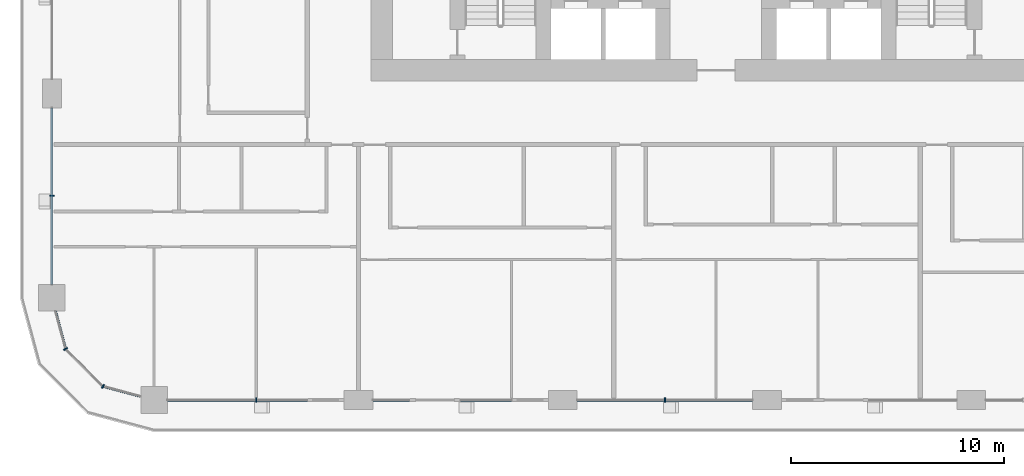
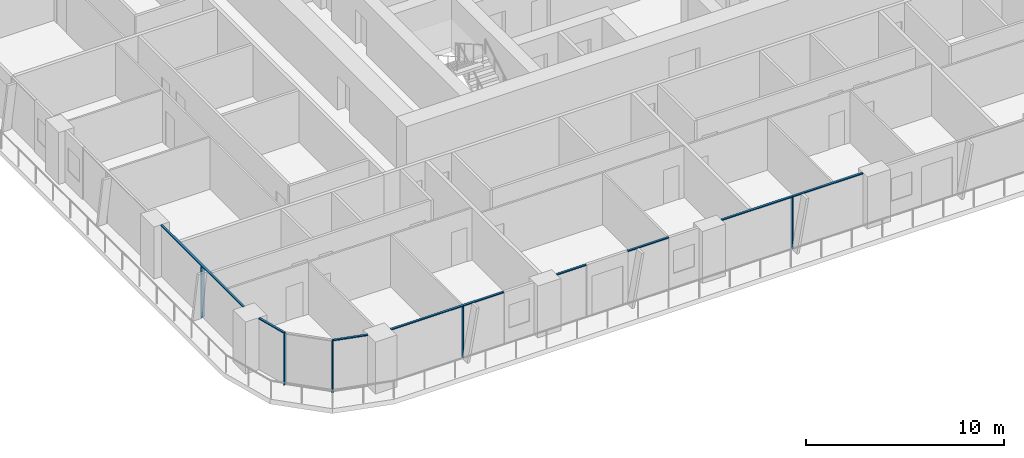
# One storey, part 2 of 21: 12 members, 5 elements without a shape of their own.
"""IFC4 building model written with IfcOpenShell, lengths in metres."""

from ifc_helpers import new_model, si_unit, direction, frame, origin, origin_2d, place, context, subcontext, project, spatial, rectangle, extrude, material, layer, layer_set, material_profile, profile_set, type_object, element, aggregate, save


model = new_model("IFC4")

# Units and contexts
model_context = context("Model", 3, precision=1e-05, world=origin(), true_north=direction((0.0, 1.0)))
body_context = subcontext(model_context, "Body", "Model", "MODEL_VIEW")
ifc_project = project(units=[si_unit("LENGTHUNIT", "METRE"), si_unit("AREAUNIT", "SQUARE_METRE"), si_unit("VOLUMEUNIT", "CUBIC_METRE"), si_unit("PLANEANGLEUNIT", "RADIAN"), si_unit("MASSUNIT", "GRAM", prefix="KILO")], contexts=[model_context])

# Site, building, storey
site_placement = place(None, origin())
site = spatial("IfcSite", under=ifc_project, at=site_placement, CompositionType="ELEMENT")
building_placement = place(site_placement, origin())
building = spatial("IfcBuilding", under=site, at=building_placement, Name="Madar Terraces", CompositionType="ELEMENT")
storey_placement = place(building_placement, frame((0.0, 0.0, 32.89990234375)))
storey = spatial("IfcBuildingStorey", under=building, at=storey_placement, Name="L07", CompositionType="ELEMENT", Elevation=32.89990234375)

# Curtain wall, member
ifc_material_1 = material(Name="Glass, ceramic frit dark grey, with black aluminium frame", Category="aluminium")
ifc_layer = layer(ifc_material_1, 0.199951171875)
ifc_layer_set = layer_set([ifc_layer], Name="Facade curtain wall, fritted glass")
curtain_wall_type = type_object("IfcCurtainWallType", Name="Facade curtain wall, fritted glass", PredefinedType="NOTDEFINED", material=ifc_layer_set)
curtain_wall_1_placement = place(storey_placement, origin())
curtain_wall_1 = element("IfcCurtainWall", 1, at=curtain_wall_1_placement, inside=storey, type_object=curtain_wall_type, Name="Outer skin curtain wall south bay 1", PredefinedType="NOTDEFINED")
ifc_material_2 = material(Name="Aluminium, black anodised", Category="aluminium")
ifc_material_profile_1 = material_profile(ifc_material_2, rectangle(XDim=0.199951171875, YDim=0.06005859375, at=origin_2d()), Name="Facade mullion 60x200")
ifc_profile_set_1 = profile_set([ifc_material_profile_1], Name="Aluminium, black anodised")
member_type_1 = type_object("IfcMemberType", Name="Facade mullion 60x200", PredefinedType="MULLION", material=ifc_profile_set_1)
member_1_placement = place(storey_placement, frame((9.60009765625, 0.0, 0.0), z_axis=(0.0, 0.0, 1.0), x_axis=(0.0, 1.0, 0.0)))
member_1 = element("IfcMember", 2, at=member_1_placement, type_object=member_type_1, Name="Mullion 1", PredefinedType="MULLION", context=body_context, shape_type="SweptSolid", body=[
    extrude(rectangle(XDim=0.199951171875, YDim=0.06005859375, at=origin_2d()), origin(), (0.0, 0.0, 1.0), 3.14013671875),
])

curtain_wall_2_placement = place(storey_placement, origin())
curtain_wall_2 = element("IfcCurtainWall", 3, at=curtain_wall_2_placement, inside=storey, type_object=curtain_wall_type, Name="Outer skin curtain wall south bay 3", PredefinedType="NOTDEFINED")
member_2_placement = place(storey_placement, frame((28.800048828125, 0.0, 0.0), z_axis=(0.0, 0.0, 1.0), x_axis=(0.0, 1.0, 0.0)))
member_2 = element("IfcMember", 4, at=member_2_placement, type_object=member_type_1, Name="Mullion 1", PredefinedType="MULLION", context=body_context, shape_type="SweptSolid", body=[
    extrude(rectangle(XDim=0.199951171875, YDim=0.06005859375, at=origin_2d()), origin(), (0.0, 0.0, 1.0), 3.14013671875),
])

curtain_wall_3_placement = place(storey_placement, origin())
curtain_wall_3 = element("IfcCurtainWall", 5, at=curtain_wall_3_placement, inside=storey, type_object=curtain_wall_type, Name="Outer skin curtain wall west bay 4", PredefinedType="NOTDEFINED")
member_3_placement = place(storey_placement, frame((0.0, 9.60009765625, 0.0), z_axis=(0.0, 0.0, 1.0), x_axis=(1.0, 0.0, 0.0)))
member_3 = element("IfcMember", 6, at=member_3_placement, type_object=member_type_1, Name="Mullion 1", PredefinedType="MULLION", context=body_context, shape_type="SweptSolid", body=[
    extrude(rectangle(XDim=0.199951171875, YDim=0.06005859375, at=origin_2d()), origin(), (0.0, 0.0, 1.0), 3.14013671875),
])

# Curtain wall, members
curtain_wall_4_placement = place(storey_placement, origin())
curtain_wall_4 = element("IfcCurtainWall", 7, at=curtain_wall_4_placement, inside=storey, type_object=curtain_wall_type, Name="Outer skin curtain wall south-west corner", PredefinedType="NOTDEFINED")
member_4_placement = place(storey_placement, frame((0.64306640625, 2.39990234375, 0.0), z_axis=(0.0, 0.0, 1.0), x_axis=(0.866025409797, 0.499999989586, 0.0)))
member_4 = element("IfcMember", 8, at=member_4_placement, type_object=member_type_1, Name="Mullion 1", PredefinedType="MULLION", context=body_context, shape_type="SweptSolid", body=[
    extrude(rectangle(XDim=0.199951171875, YDim=0.06005859375, at=origin_2d()), origin(), (0.0, 0.0, 1.0), 3.14013671875),
])
member_5_placement = place(storey_placement, frame((2.39990234375, 0.64306640625, 0.0), z_axis=(0.0, 0.0, 1.0), x_axis=(0.499999989586, 0.866025409797, 0.0)))
member_5 = element("IfcMember", 9, at=member_5_placement, type_object=member_type_1, Name="Mullion 2", PredefinedType="MULLION", context=body_context, shape_type="SweptSolid", body=[
    extrude(rectangle(XDim=0.199951171875, YDim=0.06005859375, at=origin_2d()), origin(), (0.0, 0.0, 1.0), 3.14013671875),
])

# Member
ifc_material_3 = material(Name="Aluminium, black anodised", Category="aluminium")
ifc_material_profile_2 = material_profile(ifc_material_3, rectangle(XDim=0.1201171875, YDim=0.06005859375, at=origin_2d()), Name="Facade transom 60x120")
ifc_profile_set_2 = profile_set([ifc_material_profile_2], Name="Aluminium, black anodised")
member_type_2 = type_object("IfcMemberType", Name="Facade transom 60x120", PredefinedType="USERDEFINED", material=ifc_profile_set_2)
member_6_placement = place(storey_placement, frame((5.425048828125, 0.0, 3.170166015625), z_axis=(1.0, 0.0, 0.0), x_axis=(0.0, 1.0, 0.0)))
member_6 = element("IfcMember", 10, at=member_6_placement, type_object=member_type_2, Name="Transom 1", ObjectType="TRANSOM", PredefinedType="USERDEFINED", context=body_context, shape_type="SweptSolid", body=[
    extrude(rectangle(XDim=0.1201171875, YDim=0.06005859375, at=origin_2d()), origin(), (0.0, 0.0, 1.0), 6.574951171875),
])

aggregate(curtain_wall_1, [member_1, member_6])

# Curtain wall, members
curtain_wall_5_placement = place(storey_placement, origin())
curtain_wall_5 = element("IfcCurtainWall", 11, at=curtain_wall_5_placement, inside=storey, type_object=curtain_wall_type, Name="Outer skin curtain wall south bay 2", PredefinedType="NOTDEFINED")
member_7_placement = place(storey_placement, frame((15.074951171875, 0.0, 3.170166015625), z_axis=(1.0, 0.0, 0.0), x_axis=(0.0, 1.0, 0.0)))
member_7 = element("IfcMember", 12, at=member_7_placement, type_object=member_type_2, Name="Transom 1", ObjectType="TRANSOM", PredefinedType="USERDEFINED", context=body_context, shape_type="SweptSolid", body=[
    extrude(rectangle(XDim=0.1201171875, YDim=0.06005859375, at=origin_2d()), origin(), (0.0, 0.0, 1.0), 1.72509765625),
])
member_8_placement = place(storey_placement, frame((19.199951171875, 0.0, 3.170166015625), z_axis=(1.0, 0.0, 0.0), x_axis=(0.0, 1.0, 0.0)))
member_8 = element("IfcMember", 13, at=member_8_placement, type_object=member_type_2, Name="Transom 2", ObjectType="TRANSOM", PredefinedType="USERDEFINED", context=body_context, shape_type="SweptSolid", body=[
    extrude(rectangle(XDim=0.1201171875, YDim=0.06005859375, at=origin_2d()), origin(), (0.0, 0.0, 1.0), 2.400146484375),
])
aggregate(curtain_wall_5, [member_7, member_8])

# Member
member_9_placement = place(storey_placement, frame((24.675048828125, 0.0, 3.170166015625), z_axis=(1.0, 0.0, 0.0), x_axis=(0.0, 1.0, 0.0)))
member_9 = element("IfcMember", 14, at=member_9_placement, type_object=member_type_2, Name="Transom 1", ObjectType="TRANSOM", PredefinedType="USERDEFINED", context=body_context, shape_type="SweptSolid", body=[
    extrude(rectangle(XDim=0.1201171875, YDim=0.06005859375, at=origin_2d()), origin(), (0.0, 0.0, 1.0), 8.25),
])

aggregate(curtain_wall_2, [member_2, member_9])

member_10_placement = place(storey_placement, frame((0.0, 13.72509765625, 3.170166015625), z_axis=(0.0, -1.0, 0.0), x_axis=(1.0, 0.0, 0.0)))
member_10 = element("IfcMember", 15, at=member_10_placement, type_object=member_type_2, Name="Transom 1", ObjectType="TRANSOM", PredefinedType="USERDEFINED", context=body_context, shape_type="SweptSolid", body=[
    extrude(rectangle(XDim=0.1201171875, YDim=0.06005859375, at=origin_2d()), origin(), (0.0, 0.0, 1.0), 8.300048828125),
])

aggregate(curtain_wall_3, [member_3, member_10])

member_11_placement = place(storey_placement, frame((0.16748046875, 4.175048828125, 3.170166015625), z_axis=(0.258772089929, -0.965938406667, 0.0), x_axis=(0.965938406667, 0.258772089929, 0.0)))
member_11 = element("IfcMember", 16, at=member_11_placement, type_object=member_type_2, Name="Transom 1", ObjectType="TRANSOM", PredefinedType="USERDEFINED", context=body_context, shape_type="SweptSolid", body=[
    extrude(rectangle(XDim=0.1201171875, YDim=0.06005859375, at=origin_2d()), origin(), (0.0, 0.0, 1.0), 1.8076171875),
])

member_12_placement = place(storey_placement, frame((2.428955078125, 0.63525390625, 3.170166015625), z_axis=(0.965938406667, -0.258772089929, 0.0), x_axis=(0.258772089929, 0.965938406667, 0.0)))
member_12 = element("IfcMember", 17, at=member_12_placement, type_object=member_type_2, Name="Transom 3", ObjectType="TRANSOM", PredefinedType="USERDEFINED", context=body_context, shape_type="SweptSolid", body=[
    extrude(rectangle(XDim=0.1201171875, YDim=0.06005859375, at=origin_2d()), origin(), (0.0, 0.0, 1.0), 1.8076171875),
])

aggregate(curtain_wall_4, [member_4, member_11, member_5, member_12])

save(model, "model.ifc")
